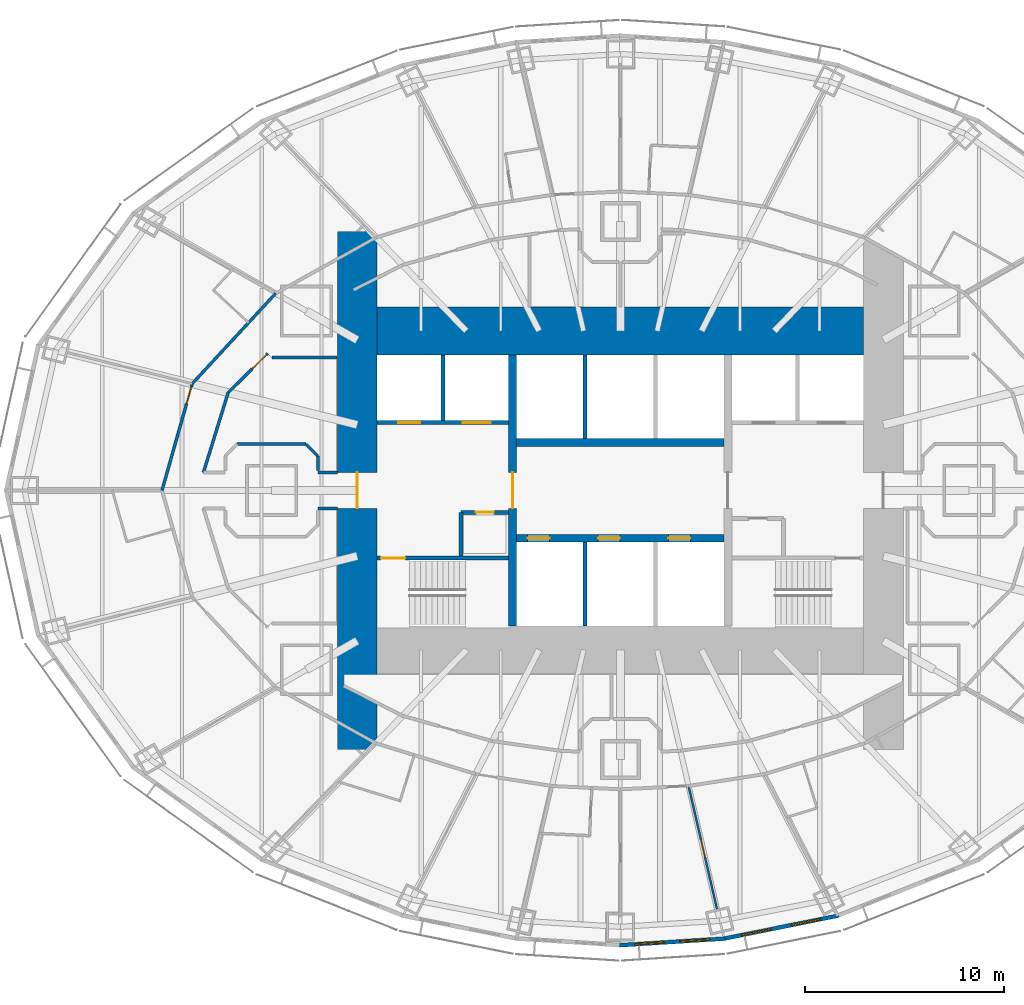
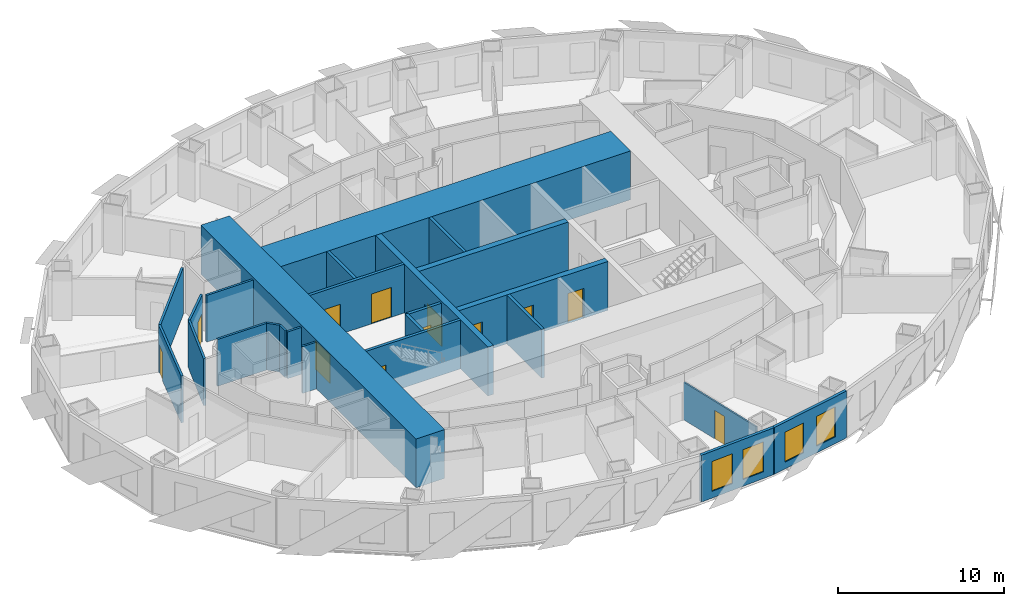
# One storey, part 6 of 15: 25 walls, 12 doors, 4 windows, 16 openings.
"""IFC4 building model written with IfcOpenShell, lengths in metres."""

from ifc_helpers import new_model, si_unit, direction, frame, frame_2d, origin, place, context, subcontext, project, spatial, rectangle, extrude, material, layer, layer_set, type_object, element, fill, save


model = new_model("IFC4")

# Units and contexts
model_context = context("Model", 3, precision=1e-05, world=origin(), true_north=direction((0.0, 1.0)))
body_context = subcontext(model_context, "Body", "Model", "MODEL_VIEW")
ifc_project = project(units=[si_unit("LENGTHUNIT", "METRE"), si_unit("AREAUNIT", "SQUARE_METRE"), si_unit("VOLUMEUNIT", "CUBIC_METRE"), si_unit("PLANEANGLEUNIT", "RADIAN"), si_unit("MASSUNIT", "GRAM", prefix="KILO")], contexts=[model_context])

# Site, building, storey
site_placement = place(None, origin())
site = spatial("IfcSite", under=ifc_project, at=site_placement, CompositionType="ELEMENT")
building_placement = place(site_placement, origin())
building = spatial("IfcBuilding", under=site, at=building_placement, Name="Lantaw Convention Tower", CompositionType="ELEMENT")
storey_placement = place(building_placement, frame((0.0, 0.0, 94.60009765625)))
storey = spatial("IfcBuildingStorey", under=building, at=storey_placement, Name="L22", CompositionType="ELEMENT", Elevation=94.60009765625)

# Wall, opening, door
ifc_material_1 = material(Name="Concrete C60/75", Category="concrete")
ifc_layer_1 = layer(ifc_material_1, 0.199951171875)
ifc_layer_set_1 = layer_set([ifc_layer_1], Name="Core wall 200")
wall_type_1 = type_object("IfcWallType", Name="Core wall 200", PredefinedType="SHEAR", material=ifc_layer_set_1)
wall_1_placement = place(storey_placement, frame((-5.60009765625, -3.39990234375, 0.0), z_axis=(0.0, 0.0, 1.0), x_axis=(-1.0, 0.0, 0.0)))
wall_1 = element("IfcWall", 1, at=wall_1_placement, inside=storey, type_object=wall_type_1, Name="Core wall WS", PredefinedType="SHEAR", context=body_context, shape_type="SweptSolid", body=[
    extrude(rectangle(XDim=6.599853515625, YDim=0.199951171875, at=frame_2d((3.2998046875, 0.0))), origin(), (0.0, 0.0, 1.0), 3.599853515625),
])
opening_1_placement = place(wall_1_placement, frame((5.199951171875, 0.0, 0.0)))
opening_1 = element("IfcOpeningElement", 2, at=opening_1_placement, cuts=wall_1, Name="Opening L22.06", PredefinedType="OPENING", context=body_context, shape_type="SweptSolid", body=[
    extrude(rectangle(XDim=1.199951171875, YDim=2.10009765625, at=frame_2d((0.60009765625, 1.050048828125))), frame((0.0, 0.10986328125, 0.0), z_axis=(0.0, -1.0, 0.0), x_axis=(1.0, 0.0, 0.0)), (0.0, 0.0, 1.0), 0.219970703125),
])
ifc_material_2 = material(Name="Steel, fire rated", Category="steel")
door_type_1 = type_object("IfcDoorType", Name="Stair door FD90", OperationType="SINGLE_SWING_RIGHT", PredefinedType="DOOR", material=ifc_material_2)
door_1_placement = place(opening_1_placement, origin())
door_1 = element("IfcDoor", 3, at=door_1_placement, inside=storey, type_object=door_type_1, Name="Exit stair door", OperationType="SINGLE_SWING_RIGHT", OverallHeight=2.10009765625, OverallWidth=1.199951171875, PredefinedType="DOOR", context=body_context, shape_type="SweptSolid", body=[
    extrude(rectangle(XDim=1.199951171875, YDim=2.10009765625, at=frame_2d((0.60009765625, 1.050048828125))), frame((0.0, 0.02490234375, 0.0), z_axis=(0.0, -1.0, 0.0), x_axis=(1.0, 0.0, 0.0)), (0.0, 0.0, 1.0), 0.050048828125),
])
fill(opening_1, door_1)

ifc_layer_2 = layer(ifc_material_1, 2.0)
ifc_layer_set_2 = layer_set([ifc_layer_2], Name="Core wall 2000")
wall_type_2 = type_object("IfcWallType", Name="Core wall 2000", PredefinedType="SHEAR", material=ifc_layer_set_2)
wall_2_placement = place(storey_placement, frame((-13.199951171875, 13.0, 0.0), z_axis=(0.0, 0.0, 1.0), x_axis=(0.0, -1.0, 0.0)))
wall_2 = element("IfcWall", 4, at=wall_2_placement, inside=storey, type_object=wall_type_2, Name="Core wall W", PredefinedType="SHEAR", context=body_context, shape_type="SweptSolid", body=[
    extrude(rectangle(XDim=26.0, YDim=2.0, at=frame_2d((13.0, 0.0))), origin(), (0.0, 0.0, 1.0), 3.599853515625),
])
opening_2_placement = place(wall_2_placement, frame((12.10009765625, 0.0, 0.0)))
opening_2 = element("IfcOpeningElement", 5, at=opening_2_placement, cuts=wall_2, Name="Opening L22.08", PredefinedType="OPENING", context=body_context, shape_type="SweptSolid", body=[
    extrude(rectangle(XDim=1.800048828125, YDim=2.10009765625, at=frame_2d((0.89990234375, 1.050048828125))), frame((0.0, 1.010009765625, 0.0), z_axis=(0.0, -1.0, 0.0), x_axis=(1.0, 0.0, 0.0)), (0.0, 0.0, 1.0), 2.02001953125),
])
door_type_2 = type_object("IfcDoorType", Name="Lobby double door FD90", OperationType="DOUBLE_DOOR_DOUBLE_SWING", PredefinedType="DOOR", material=ifc_material_2)
door_2_placement = place(opening_2_placement, origin())
door_2 = element("IfcDoor", 6, at=door_2_placement, inside=storey, type_object=door_type_2, Name="Firefighting lobby door", OperationType="DOUBLE_DOOR_DOUBLE_SWING", OverallHeight=2.10009765625, OverallWidth=1.800048828125, PredefinedType="DOOR", context=body_context, shape_type="SweptSolid", body=[
    extrude(rectangle(XDim=1.800048828125, YDim=2.10009765625, at=frame_2d((0.89990234375, 1.050048828125))), frame((0.0, 0.02490234375, 0.0), z_axis=(0.0, -1.0, 0.0), x_axis=(1.0, 0.0, 0.0)), (0.0, 0.0, 1.0), 0.050048828125),
])
fill(opening_2, door_2)

# Wall
ifc_layer_3 = layer(ifc_material_1, 2.39990234375)
ifc_layer_set_3 = layer_set([ifc_layer_3], Name="Core wall 2400")
wall_type_3 = type_object("IfcWallType", Name="Core wall 2400", PredefinedType="SHEAR", material=ifc_layer_set_3)
wall_3_placement = place(storey_placement, frame((12.199951171875, 8.0, 0.0), z_axis=(0.0, 0.0, 1.0), x_axis=(-1.0, 0.0, 0.0)))
element("IfcWall", 7, at=wall_3_placement, inside=storey, type_object=wall_type_3, Name="Core wall N", PredefinedType="SHEAR", context=body_context, shape_type="SweptSolid", body=[
    extrude(rectangle(XDim=24.39990234375, YDim=2.39990234375, at=frame_2d((12.199951171875, 0.0))), origin(), (0.0, 0.0, 1.0), 3.599853515625),
])

# Wall, opening, door
ifc_layer_4 = layer(ifc_material_1, 0.39990234375)
ifc_layer_set_4 = layer_set([ifc_layer_4], Name="Core wall 400")
wall_type_4 = type_object("IfcWallType", Name="Core wall 400", PredefinedType="SHEAR", material=ifc_layer_set_4)
wall_4_placement = place(storey_placement, frame((-5.39990234375, 6.800048828125, 0.0), z_axis=(0.0, 0.0, 1.0), x_axis=(0.0, -1.0, 0.0)))
wall_4 = element("IfcWall", 8, at=wall_4_placement, inside=storey, type_object=wall_type_4, Name="Core wall XW", PredefinedType="SHEAR", context=body_context, shape_type="SweptSolid", body=[
    extrude(rectangle(XDim=13.60009765625, YDim=0.39990234375, at=frame_2d((6.800048828125, 0.0))), origin(), (0.0, 0.0, 1.0), 3.599853515625),
])
opening_3_placement = place(wall_4_placement, frame((5.89990234375, 0.0, 0.0)))
opening_3 = element("IfcOpeningElement", 9, at=opening_3_placement, cuts=wall_4, Name="Opening L22.04", PredefinedType="OPENING", context=body_context, shape_type="SweptSolid", body=[
    extrude(rectangle(XDim=1.800048828125, YDim=2.10009765625, at=frame_2d((0.89990234375, 1.050048828125))), frame((0.0, 0.2099609375, 0.0), z_axis=(0.0, -1.0, 0.0), x_axis=(1.0, 0.0, 0.0)), (0.0, 0.0, 1.0), 0.419921875),
])
door_3_placement = place(opening_3_placement, origin())
door_3 = element("IfcDoor", 10, at=door_3_placement, inside=storey, type_object=door_type_2, Name="Lift lobby door", OperationType="DOUBLE_DOOR_DOUBLE_SWING", OverallHeight=2.10009765625, OverallWidth=1.800048828125, PredefinedType="DOOR", context=body_context, shape_type="SweptSolid", body=[
    extrude(rectangle(XDim=1.800048828125, YDim=2.10009765625, at=frame_2d((0.89990234375, 1.050048828125))), frame((0.0, 0.02490234375, 0.0), z_axis=(0.0, -1.0, 0.0), x_axis=(1.0, 0.0, 0.0)), (0.0, 0.0, 1.0), 0.050048828125),
])
fill(opening_3, door_3)

# Wall, openings, doors
wall_5_placement = place(storey_placement, frame((-5.199951171875, -2.39990234375, 0.0), z_axis=(0.0, 0.0, 1.0), x_axis=(1.0, 0.0, 0.0)))
wall_5 = element("IfcWall", 11, at=wall_5_placement, inside=storey, type_object=wall_type_4, Name="Core wall BS", PredefinedType="SHEAR", context=body_context, shape_type="SweptSolid", body=[
    extrude(rectangle(XDim=10.39990234375, YDim=0.39990234375, at=frame_2d((5.199951171875, 0.0))), origin(), (0.0, 0.0, 1.0), 3.599853515625),
])
opening_4_placement = place(wall_5_placement, frame((0.550048828125, 0.0, 0.0)))
opening_4 = element("IfcOpeningElement", 12, at=opening_4_placement, cuts=wall_5, Name="Opening L22.09", PredefinedType="OPENING", context=body_context, shape_type="SweptSolid", body=[
    extrude(rectangle(XDim=1.10009765625, YDim=2.199951171875, at=frame_2d((0.550048828125, 1.10009765625))), frame((0.0, 0.2099609375, 0.0), z_axis=(0.0, -1.0, 0.0), x_axis=(1.0, 0.0, 0.0)), (0.0, 0.0, 1.0), 0.419921875),
])
opening_5_placement = place(wall_5_placement, frame((4.083251953125, 0.0, 0.0)))
opening_5 = element("IfcOpeningElement", 13, at=opening_5_placement, cuts=wall_5, Name="Opening L22.10", PredefinedType="OPENING", context=body_context, shape_type="SweptSolid", body=[
    extrude(rectangle(XDim=1.10009765625, YDim=2.199951171875, at=frame_2d((0.550048828125, 1.10009765625))), frame((0.0, 0.2099609375, 0.0), z_axis=(0.0, -1.0, 0.0), x_axis=(1.0, 0.0, 0.0)), (0.0, 0.0, 1.0), 0.419921875),
])
opening_6_placement = place(wall_5_placement, frame((7.61669921875, 0.0, 0.0)))
opening_6 = element("IfcOpeningElement", 14, at=opening_6_placement, cuts=wall_5, Name="Opening L22.11", PredefinedType="OPENING", context=body_context, shape_type="SweptSolid", body=[
    extrude(rectangle(XDim=1.10009765625, YDim=2.199951171875, at=frame_2d((0.550048828125, 1.10009765625))), frame((0.0, 0.2099609375, 0.0), z_axis=(0.0, -1.0, 0.0), x_axis=(1.0, 0.0, 0.0)), (0.0, 0.0, 1.0), 0.419921875),
])
ifc_material_3 = material(Name="Stainless steel", Category="steel")
door_type_3 = type_object("IfcDoorType", Name="Lift landing door 1100", OperationType="DOUBLE_DOOR_SLIDING", PredefinedType="DOOR", material=ifc_material_3)
door_4_placement = place(opening_4_placement, origin())
door_4 = element("IfcDoor", 15, at=door_4_placement, inside=storey, type_object=door_type_3, Name="Lift landing door H1", OperationType="DOUBLE_DOOR_SLIDING", OverallHeight=2.199951171875, OverallWidth=1.10009765625, PredefinedType="DOOR", context=body_context, shape_type="SweptSolid", body=[
    extrude(rectangle(XDim=1.10009765625, YDim=2.199951171875, at=frame_2d((0.550048828125, 1.10009765625))), frame((0.0, 0.02490234375, 0.0), z_axis=(0.0, -1.0, 0.0), x_axis=(1.0, 0.0, 0.0)), (0.0, 0.0, 1.0), 0.050048828125),
])
fill(opening_4, door_4)
door_5_placement = place(opening_5_placement, origin())
door_5 = element("IfcDoor", 16, at=door_5_placement, inside=storey, type_object=door_type_3, Name="Lift landing door H2", OperationType="DOUBLE_DOOR_SLIDING", OverallHeight=2.199951171875, OverallWidth=1.10009765625, PredefinedType="DOOR", context=body_context, shape_type="SweptSolid", body=[
    extrude(rectangle(XDim=1.10009765625, YDim=2.199951171875, at=frame_2d((0.550048828125, 1.10009765625))), frame((0.0, 0.02490234375, 0.0), z_axis=(0.0, -1.0, 0.0), x_axis=(1.0, 0.0, 0.0)), (0.0, 0.0, 1.0), 0.050048828125),
])
fill(opening_5, door_5)
door_6_placement = place(opening_6_placement, origin())
door_6 = element("IfcDoor", 17, at=door_6_placement, inside=storey, type_object=door_type_3, Name="Lift landing door H3", OperationType="DOUBLE_DOOR_SLIDING", OverallHeight=2.199951171875, OverallWidth=1.10009765625, PredefinedType="DOOR", context=body_context, shape_type="SweptSolid", body=[
    extrude(rectangle(XDim=1.10009765625, YDim=2.199951171875, at=frame_2d((0.550048828125, 1.10009765625))), frame((0.0, 0.02490234375, 0.0), z_axis=(0.0, -1.0, 0.0), x_axis=(1.0, 0.0, 0.0)), (0.0, 0.0, 1.0), 0.050048828125),
])
fill(opening_6, door_6)

# Walls
wall_6_placement = place(storey_placement, frame((5.199951171875, 2.39990234375, 0.0), z_axis=(0.0, 0.0, 1.0), x_axis=(-1.0, 0.0, 0.0)))
element("IfcWall", 18, at=wall_6_placement, inside=storey, type_object=wall_type_4, Name="Core wall BN", PredefinedType="SHEAR", context=body_context, shape_type="SweptSolid", body=[
    extrude(rectangle(XDim=10.39990234375, YDim=0.39990234375, at=frame_2d((5.199951171875, 0.0))), origin(), (0.0, 0.0, 1.0), 3.599853515625),
])
ifc_material_4 = material(Name="Gypsum board on steel studs, fire rated", Category="steel")
ifc_layer_5 = layer(ifc_material_4, 0.14990234375)
ifc_layer_set_5 = layer_set([ifc_layer_5], Name="Corridor wall 150 EI 60")
wall_type_5 = type_object("IfcWallType", Name="Corridor wall 150 EI 60", PredefinedType="PARTITIONING", material=ifc_layer_set_5)
wall_7_placement = place(storey_placement, frame((-17.299072265625, 9.88525390625, 0.0), z_axis=(0.0, 0.0, 1.0), x_axis=(-0.678641806296, -0.734469399463, 0.0)))
element("IfcWall", 19, at=wall_7_placement, inside=storey, type_object=wall_type_5, Name="Corridor wall 150", PredefinedType="PARTITIONING", context=body_context, shape_type="SweptSolid", body=[
    extrude(rectangle(XDim=6.166015625, YDim=0.14990234375, at=frame_2d((3.0830078125, 0.0))), origin(), (0.0, 0.0, 1.0), 3.449951171875),
])

# Wall, opening, door
wall_8_placement = place(storey_placement, frame((-21.483642578125, 5.3564453125, 0.0), z_axis=(0.0, 0.0, 1.0), x_axis=(-0.272386051236, -0.962188047677, 0.0)))
wall_8 = element("IfcWall", 20, at=wall_8_placement, inside=storey, type_object=wall_type_5, Name="Corridor wall 150", PredefinedType="PARTITIONING", context=body_context, shape_type="SweptSolid", body=[
    extrude(rectangle(XDim=5.56689453125, YDim=0.14990234375, at=frame_2d((2.783447265625, 0.0))), origin(), (0.0, 0.0, 1.0), 3.449951171875),
])
opening_7_placement = place(wall_8_placement, frame((0.14990234375, 0.0, 0.0)))
opening_7 = element("IfcOpeningElement", 21, at=opening_7_placement, cuts=wall_8, Name="Opening L22.41", PredefinedType="OPENING", context=body_context, shape_type="SweptSolid", body=[
    extrude(rectangle(XDim=0.89990234375, YDim=2.10009765625, at=frame_2d((0.449951171875, 1.050048828125))), frame((0.0, 0.0849609375, 0.0), z_axis=(0.0, -1.0, 0.0), x_axis=(1.0, 0.0, 0.0)), (0.0, 0.0, 1.0), 0.169921875),
])
door_type_4 = type_object("IfcDoorType", Name="Guest room entrance door FD30S", OperationType="SINGLE_SWING_LEFT", PredefinedType="DOOR", material=ifc_material_2)
door_7_placement = place(opening_7_placement, origin())
door_7 = element("IfcDoor", 22, at=door_7_placement, inside=storey, type_object=door_type_4, Name="Suite entrance door", OperationType="SINGLE_SWING_LEFT", OverallHeight=2.10009765625, OverallWidth=0.89990234375, PredefinedType="DOOR", context=body_context, shape_type="SweptSolid", body=[
    extrude(rectangle(XDim=0.89990234375, YDim=2.10009765625, at=frame_2d((0.449951171875, 1.050048828125))), frame((0.0, 0.02490234375, 0.0), z_axis=(0.0, -1.0, 0.0), x_axis=(1.0, 0.0, 0.0)), (0.0, 0.0, 1.0), 0.050048828125),
])
fill(opening_7, door_7)

# Walls
wall_9_placement = place(storey_placement, frame((-19.6806640625, 4.906982421875, 0.0), z_axis=(0.0, 0.0, 1.0), x_axis=(-0.295778570807, -0.955256529447, 0.0)))
element("IfcWall", 23, at=wall_9_placement, inside=storey, type_object=wall_type_5, Name="Corridor wall 150", PredefinedType="PARTITIONING", context=body_context, shape_type="SweptSolid", body=[
    extrude(rectangle(XDim=4.19482421875, YDim=0.14990234375, at=frame_2d((2.097412109375, 0.0))), origin(), (0.0, 0.0, 1.0), 3.449951171875),
])
for number, where, z_axis, x_axis, name in (
    (24, (-14.199951171875, -0.89990234375, 0.0), (0.0, 0.0, 1.0), (-1.0, 0.0, 0.0), "Corridor wall 150"),
    (25, (-14.199951171875, 0.89990234375, 0.0), (0.0, 0.0, 1.0), (-1.0, 0.0, 0.0), "Corridor wall 150"),
):
    element("IfcWall", number, at=place(storey_placement, frame(where, z_axis=z_axis, x_axis=x_axis)), inside=storey, type_object=wall_type_5, Name=name, PredefinedType="PARTITIONING", context=body_context, shape_type="SweptSolid", body=[
        extrude(rectangle(XDim=0.965087890625, YDim=0.14990234375, at=frame_2d((0.482421875, 0.0))), origin(), (0.0, 0.0, 1.0), 3.449951171875),
    ])
wall_10_placement = place(storey_placement, frame((-19.224609375, 2.324951171875, 0.0), z_axis=(0.0, 0.0, 1.0), x_axis=(1.0, 0.0, 0.0)))
element("IfcWall", 26, at=wall_10_placement, inside=storey, type_object=wall_type_5, Name="Corridor wall 150", PredefinedType="PARTITIONING", context=body_context, shape_type="SweptSolid", body=[
    extrude(rectangle(XDim=3.44921875, YDim=0.14990234375, at=frame_2d((1.724609375, 0.0))), origin(), (0.0, 0.0, 1.0), 3.449951171875),
])
wall_11_placement = place(storey_placement, frame((-15.775390625, 2.324951171875, 0.0), z_axis=(0.0, 0.0, 1.0), x_axis=(0.707106781187, -0.707106781187, 0.0)))
element("IfcWall", 27, at=wall_11_placement, inside=storey, type_object=wall_type_5, Name="Corridor wall 150", PredefinedType="PARTITIONING", context=body_context, shape_type="SweptSolid", body=[
    extrude(rectangle(XDim=0.84912109375, YDim=0.14990234375, at=frame_2d((0.424560546875, 0.0))), origin(), (0.0, 0.0, 1.0), 3.449951171875),
])
wall_12_placement = place(storey_placement, frame((-15.175048828125, 1.724609375, 0.0), z_axis=(0.0, 0.0, 1.0), x_axis=(0.0, -1.0, 0.0)))
element("IfcWall", 28, at=wall_12_placement, inside=storey, type_object=wall_type_5, Name="Corridor wall 150", PredefinedType="PARTITIONING", context=body_context, shape_type="SweptSolid", body=[
    extrude(rectangle(XDim=0.721435546875, YDim=0.14990234375, at=frame_2d((0.36083984375, 0.0))), origin(), (0.0, 0.0, 1.0), 3.449951171875),
])

# Wall, opening, door
wall_13_placement = place(storey_placement, frame((-17.690185546875, 6.87646484375, 0.0), z_axis=(0.0, 0.0, 1.0), x_axis=(-0.710845937688, -0.70334774676, 0.0)))
wall_13 = element("IfcWall", 29, at=wall_13_placement, inside=storey, type_object=wall_type_5, Name="Corridor wall 150", PredefinedType="PARTITIONING", context=body_context, shape_type="SweptSolid", body=[
    extrude(rectangle(XDim=2.800048828125, YDim=0.14990234375, at=frame_2d((1.39990234375, 0.0))), origin(), (0.0, 0.0, 1.0), 3.449951171875),
])
opening_8_placement = place(wall_13_placement, frame((0.10009765625, 0.0, 0.0)))
opening_8 = element("IfcOpeningElement", 30, at=opening_8_placement, cuts=wall_13, Name="Opening L22.20", PredefinedType="OPENING", context=body_context, shape_type="SweptSolid", body=[
    extrude(rectangle(XDim=1.0, YDim=2.10009765625, at=frame_2d((0.5, 1.050048828125))), frame((0.0, 0.0849609375, 0.0), z_axis=(0.0, -1.0, 0.0), x_axis=(1.0, 0.0, 0.0)), (0.0, 0.0, 1.0), 0.169921875),
])
door_type_5 = type_object("IfcDoorType", Name="Service door 1000 FD30", OperationType="SINGLE_SWING_LEFT", PredefinedType="DOOR", material=ifc_material_2)
door_8_placement = place(opening_8_placement, origin())
door_8 = element("IfcDoor", 31, at=door_8_placement, inside=storey, type_object=door_type_5, Name="Housekeeping room door", OperationType="SINGLE_SWING_LEFT", OverallHeight=2.10009765625, OverallWidth=1.0, PredefinedType="DOOR", context=body_context, shape_type="SweptSolid", body=[
    extrude(rectangle(XDim=1.0, YDim=2.10009765625, at=frame_2d((0.5, 1.050048828125))), frame((0.0, 0.02490234375, 0.0), z_axis=(0.0, -1.0, 0.0), x_axis=(1.0, 0.0, 0.0)), (0.0, 0.0, 1.0), 0.050048828125),
])
fill(opening_8, door_8)

# Wall
wall_14_placement = place(storey_placement, frame((-14.22998046875, 6.675048828125, 0.0), z_axis=(0.0, 0.0, 1.0), x_axis=(-1.0, 0.0, 0.0)))
element("IfcWall", 32, at=wall_14_placement, inside=storey, type_object=wall_type_5, Name="Corridor wall 150", PredefinedType="PARTITIONING", context=body_context, shape_type="SweptSolid", body=[
    extrude(rectangle(XDim=3.24462890625, YDim=0.14990234375, at=frame_2d((1.622314453125, 0.0))), origin(), (0.0, 0.0, 1.0), 3.449951171875),
])

# Wall, openings, windows
ifc_material_5 = material(Name="Insulated aluminium panel on steel frame", Category="steel")
ifc_layer_6 = layer(ifc_material_5, 0.199951171875)
ifc_layer_set_6 = layer_set([ifc_layer_6], Name="External wall 200")
wall_type_6 = type_object("IfcWallType", Name="External wall 200", PredefinedType="SOLIDWALL", material=ifc_layer_set_6)
wall_15_placement = place(storey_placement, frame((-0.041015625, -22.8271484375, 0.0), z_axis=(0.0, 0.0, 1.0), x_axis=(0.998018582375, 0.062919863585, 0.0)))
wall_15 = element("IfcWall", 33, at=wall_15_placement, inside=storey, type_object=wall_type_6, Name="Facade panel wall", PredefinedType="SOLIDWALL", context=body_context, shape_type="SweptSolid", body=[
    extrude(rectangle(XDim=5.30419921875, YDim=0.199951171875, at=frame_2d((2.652099609375, 0.0))), origin(), (0.0, 0.0, 1.0), 3.449951171875),
])
opening_9_placement = place(wall_15_placement, frame((0.77587890625, 0.0, 0.5)))
opening_9 = element("IfcOpeningElement", 34, at=opening_9_placement, cuts=wall_15, Name="Opening W2", PredefinedType="OPENING", context=body_context, shape_type="SweptSolid", body=[
    extrude(rectangle(XDim=1.5, YDim=2.199951171875, at=frame_2d((0.75, 1.10009765625))), frame((0.0, 0.10986328125, 0.0), z_axis=(0.0, -1.0, 0.0), x_axis=(1.0, 0.0, 0.0)), (0.0, 0.0, 1.0), 0.219970703125),
])
opening_10_placement = place(wall_15_placement, frame((3.028076171875, 0.0, 0.5)))
opening_10 = element("IfcOpeningElement", 35, at=opening_10_placement, cuts=wall_15, Name="Opening W2", PredefinedType="OPENING", context=body_context, shape_type="SweptSolid", body=[
    extrude(rectangle(XDim=1.5, YDim=2.199951171875, at=frame_2d((0.75, 1.10009765625))), frame((0.0, 0.10986328125, 0.0), z_axis=(0.0, -1.0, 0.0), x_axis=(1.0, 0.0, 0.0)), (0.0, 0.0, 1.0), 0.219970703125),
])
ifc_material_6 = material(Name="Aluminium frame, clear insulating glass", Category="aluminium")
window_type = type_object("IfcWindowType", Name="Suite window 1500x2200", PartitioningType="SINGLE_PANEL", PredefinedType="WINDOW", material=ifc_material_6)
window_1_placement = place(opening_9_placement, origin())
window_1 = element("IfcWindow", 36, at=window_1_placement, inside=storey, type_object=window_type, Name="Guest room window", OverallHeight=2.199951171875, OverallWidth=1.5, PartitioningType="SINGLE_PANEL", PredefinedType="WINDOW", context=body_context, shape_type="SweptSolid", body=[
    extrude(rectangle(XDim=1.5, YDim=2.199951171875, at=frame_2d((0.75, 1.10009765625))), frame((0.0, 0.030029296875, 0.0), z_axis=(0.0, -1.0, 0.0), x_axis=(1.0, 0.0, 0.0)), (0.0, 0.0, 1.0), 0.06005859375),
])
fill(opening_9, window_1)
window_2_placement = place(opening_10_placement, origin())
window_2 = element("IfcWindow", 37, at=window_2_placement, inside=storey, type_object=window_type, Name="Guest room window", OverallHeight=2.199951171875, OverallWidth=1.5, PartitioningType="SINGLE_PANEL", PredefinedType="WINDOW", context=body_context, shape_type="SweptSolid", body=[
    extrude(rectangle(XDim=1.5, YDim=2.199951171875, at=frame_2d((0.75, 1.10009765625))), frame((0.0, 0.030029296875, 0.0), z_axis=(0.0, -1.0, 0.0), x_axis=(1.0, 0.0, 0.0)), (0.0, 0.0, 1.0), 0.06005859375),
])
fill(opening_10, window_2)

wall_16_placement = place(storey_placement, frame((5.169677734375, -22.504150390625, 0.0), z_axis=(0.0, 0.0, 1.0), x_axis=(0.980251657452, 0.197754110105, 0.0)))
wall_16 = element("IfcWall", 38, at=wall_16_placement, inside=storey, type_object=wall_type_6, Name="Facade panel wall", PredefinedType="SOLIDWALL", context=body_context, shape_type="SweptSolid", body=[
    extrude(rectangle(XDim=5.90380859375, YDim=0.199951171875, at=frame_2d((2.951904296875, 0.0))), origin(), (0.0, 0.0, 1.0), 3.449951171875),
])
opening_11_placement = place(wall_16_placement, frame((0.92578125, 0.0, 0.5)))
opening_11 = element("IfcOpeningElement", 39, at=opening_11_placement, cuts=wall_16, Name="Opening W2", PredefinedType="OPENING", context=body_context, shape_type="SweptSolid", body=[
    extrude(rectangle(XDim=1.5, YDim=2.199951171875, at=frame_2d((0.75, 1.10009765625))), frame((0.0, 0.10986328125, 0.0), z_axis=(0.0, -1.0, 0.0), x_axis=(1.0, 0.0, 0.0)), (0.0, 0.0, 1.0), 0.219970703125),
])
opening_12_placement = place(wall_16_placement, frame((3.477783203125, 0.0, 0.5)))
opening_12 = element("IfcOpeningElement", 40, at=opening_12_placement, cuts=wall_16, Name="Opening W2", PredefinedType="OPENING", context=body_context, shape_type="SweptSolid", body=[
    extrude(rectangle(XDim=1.5, YDim=2.199951171875, at=frame_2d((0.75, 1.10009765625))), frame((0.0, 0.10986328125, 0.0), z_axis=(0.0, -1.0, 0.0), x_axis=(1.0, 0.0, 0.0)), (0.0, 0.0, 1.0), 0.219970703125),
])
window_3_placement = place(opening_11_placement, origin())
window_3 = element("IfcWindow", 41, at=window_3_placement, inside=storey, type_object=window_type, Name="Guest room window", OverallHeight=2.199951171875, OverallWidth=1.5, PartitioningType="SINGLE_PANEL", PredefinedType="WINDOW", context=body_context, shape_type="SweptSolid", body=[
    extrude(rectangle(XDim=1.5, YDim=2.199951171875, at=frame_2d((0.75, 1.10009765625))), frame((0.0, 0.030029296875, 0.0), z_axis=(0.0, -1.0, 0.0), x_axis=(1.0, 0.0, 0.0)), (0.0, 0.0, 1.0), 0.06005859375),
])
fill(opening_11, window_3)
window_4_placement = place(opening_12_placement, origin())
window_4 = element("IfcWindow", 42, at=window_4_placement, inside=storey, type_object=window_type, Name="Guest room window", OverallHeight=2.199951171875, OverallWidth=1.5, PartitioningType="SINGLE_PANEL", PredefinedType="WINDOW", context=body_context, shape_type="SweptSolid", body=[
    extrude(rectangle(XDim=1.5, YDim=2.199951171875, at=frame_2d((0.75, 1.10009765625))), frame((0.0, 0.030029296875, 0.0), z_axis=(0.0, -1.0, 0.0), x_axis=(1.0, 0.0, 0.0)), (0.0, 0.0, 1.0), 0.06005859375),
])
fill(opening_12, window_4)

# Wall, opening, door
ifc_material_7 = material(Name="Concrete blockwork, fire rated", Category="masonry")
ifc_layer_7 = layer(ifc_material_7, 0.199951171875)
ifc_layer_set_7 = layer_set([ifc_layer_7], Name="Plant room wall 200 EI 120")
wall_type_7 = type_object("IfcWallType", Name="Plant room wall 200 EI 120", PredefinedType="SOLIDWALL", material=ifc_layer_set_7)
wall_17_placement = place(storey_placement, frame((-5.60009765625, -1.10009765625, 0.0), z_axis=(0.0, 0.0, 1.0), x_axis=(-1.0, 0.0, 0.0)))
wall_17 = element("IfcWall", 43, at=wall_17_placement, inside=storey, type_object=wall_type_7, Name="Plant room wall 200", PredefinedType="SOLIDWALL", context=body_context, shape_type="SweptSolid", body=[
    extrude(rectangle(XDim=2.39990234375, YDim=0.199951171875, at=frame_2d((1.199951171875, 0.0))), origin(), (0.0, 0.0, 1.0), 3.449951171875),
])
opening_13_placement = place(wall_17_placement, frame((0.75, 0.0, 0.0)))
opening_13 = element("IfcOpeningElement", 44, at=opening_13_placement, cuts=wall_17, Name="Opening L22.01", PredefinedType="OPENING", context=body_context, shape_type="SweptSolid", body=[
    extrude(rectangle(XDim=0.89990234375, YDim=2.10009765625, at=frame_2d((0.449951171875, 1.050048828125))), frame((0.0, 0.10986328125, 0.0), z_axis=(0.0, -1.0, 0.0), x_axis=(1.0, 0.0, 0.0)), (0.0, 0.0, 1.0), 0.219970703125),
])
door_type_6 = type_object("IfcDoorType", Name="Service door 900 FD60", OperationType="SINGLE_SWING_LEFT", PredefinedType="DOOR", material=ifc_material_2)
door_9_placement = place(opening_13_placement, origin())
door_9 = element("IfcDoor", 45, at=door_9_placement, inside=storey, type_object=door_type_6, Name="Housekeeping pantry door", OperationType="SINGLE_SWING_LEFT", OverallHeight=2.10009765625, OverallWidth=0.89990234375, PredefinedType="DOOR", context=body_context, shape_type="SweptSolid", body=[
    extrude(rectangle(XDim=0.89990234375, YDim=2.10009765625, at=frame_2d((0.449951171875, 1.050048828125))), frame((0.0, 0.02490234375, 0.0), z_axis=(0.0, -1.0, 0.0), x_axis=(1.0, 0.0, 0.0)), (0.0, 0.0, 1.0), 0.050048828125),
])
fill(opening_13, door_9)

# Walls
wall_18_placement = place(storey_placement, frame((-8.0, -1.10009765625, 0.0), z_axis=(0.0, 0.0, 1.0), x_axis=(0.0, -1.0, 0.0)))
element("IfcWall", 46, at=wall_18_placement, inside=storey, type_object=wall_type_7, Name="Plant room wall 200", PredefinedType="SOLIDWALL", context=body_context, shape_type="SweptSolid", body=[
    extrude(rectangle(XDim=2.199951171875, YDim=0.199951171875, at=frame_2d((1.10009765625, 0.0))), origin(), (0.0, 0.0, 1.0), 3.449951171875),
])
ifc_layer_8 = layer(ifc_material_7, 0.199951171875)
ifc_layer_set_8 = layer_set([ifc_layer_8], Name="Shaft wall 200")
wall_type_8 = type_object("IfcWallType", Name="Shaft wall 200", PredefinedType="SOLIDWALL", material=ifc_layer_set_8)
wall_19_placement = place(storey_placement, frame((-1.7666015625, 2.60009765625, 0.0), z_axis=(0.0, 0.0, 1.0), x_axis=(0.0, 1.0, 0.0)))
element("IfcWall", 47, at=wall_19_placement, inside=storey, type_object=wall_type_8, Name="Shaft wall DN1", PredefinedType="SOLIDWALL", context=body_context, shape_type="SweptSolid", body=[
    extrude(rectangle(XDim=4.199951171875, YDim=0.199951171875, at=frame_2d((2.10009765625, 0.0))), origin(), (0.0, 0.0, 1.0), 3.599853515625),
])

# Wall, openings, doors
wall_20_placement = place(storey_placement, frame((-12.199951171875, 3.39990234375, 0.0), z_axis=(0.0, 0.0, 1.0), x_axis=(1.0, 0.0, 0.0)))
wall_20 = element("IfcWall", 48, at=wall_20_placement, inside=storey, type_object=wall_type_8, Name="Shaft wall WN", PredefinedType="SOLIDWALL", context=body_context, shape_type="SweptSolid", body=[
    extrude(rectangle(XDim=6.599853515625, YDim=0.199951171875, at=frame_2d((3.2998046875, 0.0))), origin(), (0.0, 0.0, 1.0), 3.599853515625),
])
opening_14_placement = place(wall_20_placement, frame((1.050048828125, 0.0, 0.0)))
opening_14 = element("IfcOpeningElement", 49, at=opening_14_placement, cuts=wall_20, Name="Opening L22.12", PredefinedType="OPENING", context=body_context, shape_type="SweptSolid", body=[
    extrude(rectangle(XDim=1.10009765625, YDim=2.199951171875, at=frame_2d((0.550048828125, 1.10009765625))), frame((0.0, 0.10986328125, 0.0), z_axis=(0.0, -1.0, 0.0), x_axis=(1.0, 0.0, 0.0)), (0.0, 0.0, 1.0), 0.219970703125),
])
opening_15_placement = place(wall_20_placement, frame((4.300048828125, 0.0, 0.0)))
opening_15 = element("IfcOpeningElement", 50, at=opening_15_placement, cuts=wall_20, Name="Opening L22.13", PredefinedType="OPENING", context=body_context, shape_type="SweptSolid", body=[
    extrude(rectangle(XDim=1.39990234375, YDim=2.199951171875, at=frame_2d((0.699951171875, 1.10009765625))), frame((0.0, 0.10986328125, 0.0), z_axis=(0.0, -1.0, 0.0), x_axis=(1.0, 0.0, 0.0)), (0.0, 0.0, 1.0), 0.219970703125),
])
door_10_placement = place(opening_14_placement, origin())
door_10 = element("IfcDoor", 51, at=door_10_placement, inside=storey, type_object=door_type_3, Name="Lift landing door FF1", OperationType="DOUBLE_DOOR_SLIDING", OverallHeight=2.199951171875, OverallWidth=1.10009765625, PredefinedType="DOOR", context=body_context, shape_type="SweptSolid", body=[
    extrude(rectangle(XDim=1.10009765625, YDim=2.199951171875, at=frame_2d((0.550048828125, 1.10009765625))), frame((0.0, 0.02490234375, 0.0), z_axis=(0.0, -1.0, 0.0), x_axis=(1.0, 0.0, 0.0)), (0.0, 0.0, 1.0), 0.050048828125),
])
fill(opening_14, door_10)
door_type_7 = type_object("IfcDoorType", Name="Lift landing door 1400", OperationType="DOUBLE_DOOR_SLIDING", PredefinedType="DOOR", material=ifc_material_3)
door_11_placement = place(opening_15_placement, origin())
door_11 = element("IfcDoor", 52, at=door_11_placement, inside=storey, type_object=door_type_7, Name="Lift landing door SV1", OperationType="DOUBLE_DOOR_SLIDING", OverallHeight=2.199951171875, OverallWidth=1.39990234375, PredefinedType="DOOR", context=body_context, shape_type="SweptSolid", body=[
    extrude(rectangle(XDim=1.39990234375, YDim=2.199951171875, at=frame_2d((0.699951171875, 1.10009765625))), frame((0.0, 0.02490234375, 0.0), z_axis=(0.0, -1.0, 0.0), x_axis=(1.0, 0.0, 0.0)), (0.0, 0.0, 1.0), 0.050048828125),
])
fill(opening_15, door_11)

# Walls
wall_21_placement = place(storey_placement, frame((-8.89990234375, 3.5, 0.0), z_axis=(0.0, 0.0, 1.0), x_axis=(0.0, 1.0, 0.0)))
element("IfcWall", 53, at=wall_21_placement, inside=storey, type_object=wall_type_8, Name="Shaft wall WD", PredefinedType="SOLIDWALL", context=body_context, shape_type="SweptSolid", body=[
    extrude(rectangle(XDim=3.300048828125, YDim=0.199951171875, at=frame_2d((1.64990234375, 0.0))), origin(), (0.0, 0.0, 1.0), 3.599853515625),
])
ifc_layer_9 = layer(ifc_material_7, 0.199951171875)
ifc_layer_set_9 = layer_set([ifc_layer_9], Name="Shaft wall 200 load-bearing")
wall_type_9 = type_object("IfcWallType", Name="Shaft wall 200 load-bearing", PredefinedType="SOLIDWALL", material=ifc_layer_set_9)
wall_22_placement = place(storey_placement, frame((-1.7666015625, -2.60009765625, 0.0), z_axis=(0.0, 0.0, 1.0), x_axis=(0.0, -1.0, 0.0)))
element("IfcWall", 54, at=wall_22_placement, inside=storey, type_object=wall_type_9, Name="Shaft wall DS1", PredefinedType="SOLIDWALL", context=body_context, shape_type="SweptSolid", body=[
    extrude(rectangle(XDim=4.199951171875, YDim=0.199951171875, at=frame_2d((2.10009765625, 0.0))), origin(), (0.0, 0.0, 1.0), 3.599853515625),
])

# Wall, opening, door
ifc_material_8 = material(Name="Gypsum board on steel studs", Category="steel")
ifc_layer_10 = layer(ifc_material_8, 0.10009765625)
ifc_layer_set_10 = layer_set([ifc_layer_10], Name="Suite partition 100")
wall_type_10 = type_object("IfcWallType", Name="Suite partition 100", PredefinedType="PARTITIONING", material=ifc_layer_set_10)
wall_23_placement = place(storey_placement, frame((4.873779296875, -21.11083984375, 0.0), z_axis=(0.0, 0.0, 1.0), x_axis=(-0.224959129168, 0.97436820053, 0.0)))
wall_23 = element("IfcWall", 55, at=wall_23_placement, inside=storey, type_object=wall_type_10, Name="Suite partition 100", PredefinedType="PARTITIONING", context=body_context, shape_type="SweptSolid", body=[
    extrude(rectangle(XDim=6.443115234375, YDim=0.10009765625, at=frame_2d((3.2216796875, 0.0))), origin(), (0.0, 0.0, 1.0), 2.7666015625),
])
opening_16_placement = place(wall_23_placement, frame((2.771484375, 0.0, 0.0)))
opening_16 = element("IfcOpeningElement", 56, at=opening_16_placement, cuts=wall_23, Name="Opening L22.51", PredefinedType="OPENING", context=body_context, shape_type="SweptSolid", body=[
    extrude(rectangle(XDim=0.89990234375, YDim=2.10009765625, at=frame_2d((0.449951171875, 1.050048828125))), frame((0.0, 0.06005859375, 0.0), z_axis=(0.0, -1.0, 0.0), x_axis=(1.0, 0.0, 0.0)), (0.0, 0.0, 1.0), 0.1201171875),
])
ifc_material_9 = material(Name="Timber", Category="wood")
door_type_8 = type_object("IfcDoorType", Name="Suite door 900", OperationType="SINGLE_SWING_LEFT", PredefinedType="DOOR", material=ifc_material_9)
door_12_placement = place(opening_16_placement, origin())
door_12 = element("IfcDoor", 57, at=door_12_placement, inside=storey, type_object=door_type_8, Name="Kitchenette door", OperationType="SINGLE_SWING_LEFT", OverallHeight=2.10009765625, OverallWidth=0.89990234375, PredefinedType="DOOR", context=body_context, shape_type="SweptSolid", body=[
    extrude(rectangle(XDim=0.89990234375, YDim=2.10009765625, at=frame_2d((0.449951171875, 1.050048828125))), frame((0.0, 0.02490234375, 0.0), z_axis=(0.0, -1.0, 0.0), x_axis=(1.0, 0.0, 0.0)), (0.0, 0.0, 1.0), 0.050048828125),
])
fill(opening_16, door_12)

save(model, "model.ifc")
